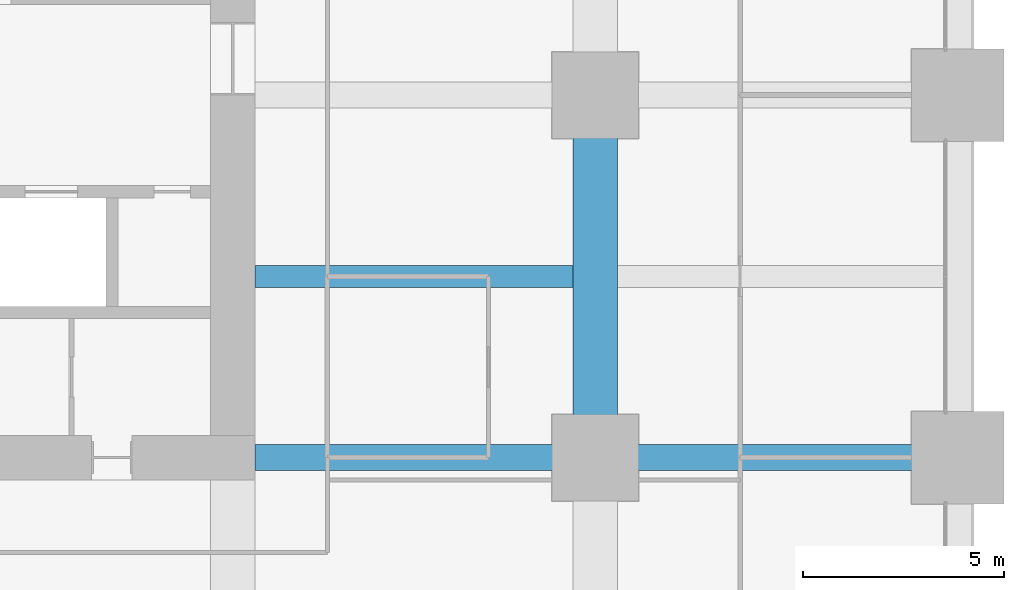
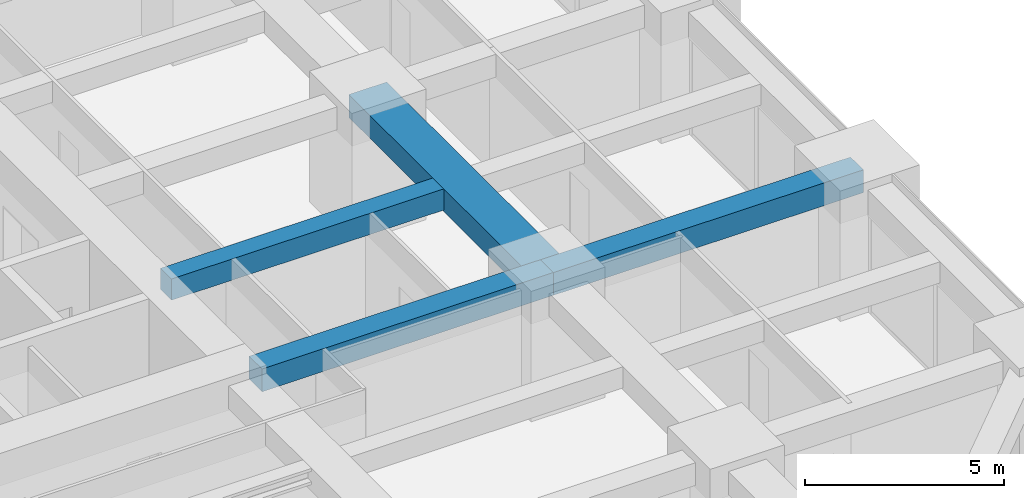
# One storey, part 19 of 44: 4 beams.
"""IFC4 building model written with IfcOpenShell, lengths in metres."""

from ifc_helpers import new_model, si_unit, direction, frame, origin, origin_2d, place, context, subcontext, project, spatial, rectangle, extrude, material, material_profile, profile_set, type_object, element, save


model = new_model("IFC4")

# Units and contexts
model_context = context("Model", 3, precision=1e-05, world=origin(), true_north=direction((0.0, 1.0)))
body_context = subcontext(model_context, "Body", "Model", "MODEL_VIEW")
ifc_project = project(units=[si_unit("LENGTHUNIT", "METRE"), si_unit("AREAUNIT", "SQUARE_METRE"), si_unit("VOLUMEUNIT", "CUBIC_METRE"), si_unit("PLANEANGLEUNIT", "RADIAN"), si_unit("MASSUNIT", "GRAM", prefix="KILO")], contexts=[model_context])

# Site, building, storey
site_placement = place(None, origin())
site = spatial("IfcSite", under=ifc_project, at=site_placement, CompositionType="ELEMENT")
building_placement = place(site_placement, origin())
building = spatial("IfcBuilding", under=site, at=building_placement, Name="Zorevar Civic Tower", CompositionType="ELEMENT")
storey_placement = place(building_placement, frame((0.0, 0.0, 55.800048828125)))
storey = spatial("IfcBuildingStorey", under=building, at=storey_placement, Name="L13", CompositionType="ELEMENT", Elevation=55.800048828125)

# Beams
ifc_material_1 = material(Name="Concrete C50/60", Category="concrete")
ifc_material_profile_1 = material_profile(ifc_material_1, rectangle(XDim=1.10009765625, YDim=0.699951171875, at=origin_2d()), Name="RC 1100x700")
ifc_profile_set_1 = profile_set([ifc_material_profile_1], Name="Concrete C50/60")
beam_type_1 = type_object("IfcBeamType", Name="Beam RC 1100x700", PredefinedType="BEAM", material=ifc_profile_set_1)
beam_1_placement = place(storey_placement, frame((54.0, 18.0, 3.39990234375), z_axis=(0.0, 1.0, 0.0), x_axis=(-1.0, 0.0, 0.0)))
element("IfcBeam", 1, at=beam_1_placement, inside=storey, type_object=beam_type_1, Name="Girder L14", PredefinedType="BEAM", context=body_context, shape_type="SweptSolid", body=[
    extrude(rectangle(XDim=1.10009765625, YDim=0.699951171875, at=origin_2d()), origin(), (0.0, 0.0, 1.0), 9.0),
])
ifc_material_2 = material(Name="Concrete C50/60", Category="concrete")
ifc_material_profile_2 = material_profile(ifc_material_2, rectangle(XDim=0.550048828125, YDim=0.64990234375, at=origin_2d()), Name="RC 550x650")
ifc_profile_set_2 = profile_set([ifc_material_profile_2], Name="Concrete C50/60")
beam_type_2 = type_object("IfcBeamType", Name="Beam RC 550x650", PredefinedType="BEAM", material=ifc_profile_set_2)
beam_2_placement = place(storey_placement, frame((45.550048828125, 22.5, 3.425048828125), z_axis=(1.0, 0.0, 0.0), x_axis=(0.0, 1.0, 0.0)))
element("IfcBeam", 2, at=beam_2_placement, inside=storey, type_object=beam_type_2, Name="Secondary beam L14", PredefinedType="BEAM", context=body_context, shape_type="SweptSolid", body=[
    extrude(rectangle(XDim=0.550048828125, YDim=0.64990234375, at=origin_2d()), origin(), (0.0, 0.0, 1.0), 7.89990234375),
])
ifc_material_3 = material(Name="Concrete C50/60", Category="concrete")
ifc_material_profile_3 = material_profile(ifc_material_3, rectangle(XDim=0.64990234375, YDim=0.699951171875, at=origin_2d()), Name="RC 650x700")
ifc_profile_set_3 = profile_set([ifc_material_profile_3], Name="Concrete C50/60")
beam_type_3 = type_object("IfcBeamType", Name="Beam RC 650x700", PredefinedType="BEAM", material=ifc_profile_set_3)
beam_3_placement = place(storey_placement, frame((45.550048828125, 18.0, 3.39990234375), z_axis=(1.0, 0.0, 0.0), x_axis=(0.0, 1.0, 0.0)))
element("IfcBeam", 3, at=beam_3_placement, inside=storey, type_object=beam_type_3, Name="Girder L14", PredefinedType="BEAM", context=body_context, shape_type="SweptSolid", body=[
    extrude(rectangle(XDim=0.64990234375, YDim=0.699951171875, at=origin_2d()), origin(), (0.0, 0.0, 1.0), 8.449951171875),
])
beam_4_placement = place(storey_placement, frame((54.0, 18.0, 3.39990234375), z_axis=(1.0, 0.0, 0.0), x_axis=(0.0, 1.0, 0.0)))
element("IfcBeam", 4, at=beam_4_placement, inside=storey, type_object=beam_type_3, Name="Girder L14", PredefinedType="BEAM", context=body_context, shape_type="SweptSolid", body=[
    extrude(rectangle(XDim=0.64990234375, YDim=0.699951171875, at=origin_2d()), origin(), (0.0, 0.0, 1.0), 9.0),
])

save(model, "model.ifc")
